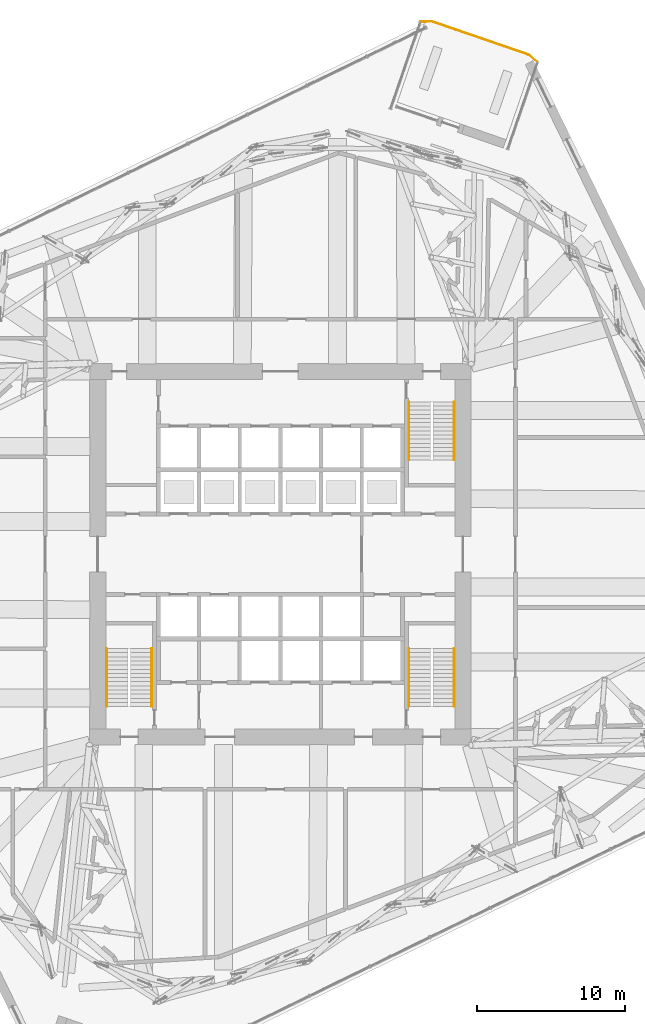
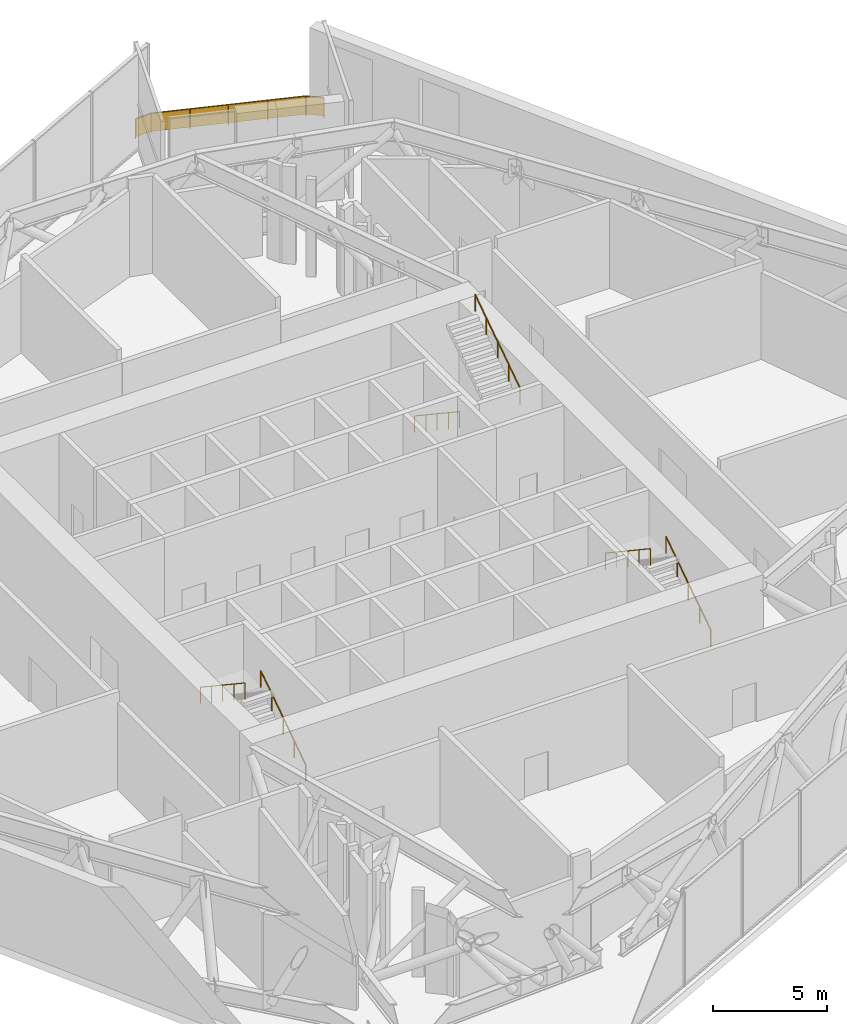
# One storey, part 19 of 21: 7 railings.
"""IFC4 building model written with IfcOpenShell, lengths in metres."""

from ifc_helpers import new_model, si_unit, direction, frame, origin, origin_2d, place, context, subcontext, project, spatial, rectangle, circle, extrude, material, type_object, element, save


model = new_model("IFC4")

# Units and contexts
model_context = context("Model", 3, precision=1e-05, world=origin(), true_north=direction((0.0, 1.0)))
body_context = subcontext(model_context, "Body", "Model", "MODEL_VIEW")
ifc_project = project(units=[si_unit("LENGTHUNIT", "METRE"), si_unit("AREAUNIT", "SQUARE_METRE"), si_unit("VOLUMEUNIT", "CUBIC_METRE"), si_unit("PLANEANGLEUNIT", "RADIAN"), si_unit("MASSUNIT", "GRAM", prefix="KILO")], contexts=[model_context])

# Site, building, storey
site_placement = place(None, origin())
site = spatial("IfcSite", under=ifc_project, at=site_placement, CompositionType="ELEMENT")
building_placement = place(site_placement, origin())
building = spatial("IfcBuilding", under=site, at=building_placement, Name="Dilmun Exchange Tower", CompositionType="ELEMENT")
storey_placement = place(building_placement, frame((0.0, 0.0, 130.10009765625)))
storey = spatial("IfcBuildingStorey", under=building, at=storey_placement, Name="L30", CompositionType="ELEMENT", Elevation=130.10009765625)

# Railings
ifc_material = material(Name="Stainless steel", Category="steel")
railing_type_1 = type_object("IfcRailingType", Name="Stair handrail 900", PredefinedType="HANDRAIL", material=ifc_material)
railing_1_placement = place(storey_placement, frame((8.699951171875, 10.300048828125, 0.1865234375)))
element("IfcRailing", 1, at=railing_1_placement, inside=storey, type_object=railing_type_1, Name="L30 ST1 stair handrail 1", PredefinedType="HANDRAIL", context=body_context, shape_type="SweptSolid", body=[
    extrude(circle(Radius=0.02392578125, at=origin_2d()), frame((0.0, 0.0, 0.8759765625), z_axis=(0.0, -0.832066238466, 0.554676279289), x_axis=(1.0, 0.0, 0.0)), (0.0, 0.0, 1.0), 4.71142578125),
    extrude(circle(Radius=0.02099609375, at=origin_2d()), origin(), (0.0, 0.0, 1.0), 0.851806640625),
    extrude(circle(Radius=0.02099609375, at=origin_2d()), frame((0.0, -0.97998046875, 0.6533203125)), (0.0, 0.0, 1.0), 0.851806640625),
    extrude(circle(Radius=0.02099609375, at=origin_2d()), frame((0.0, -1.9599609375, 1.306640625)), (0.0, 0.0, 1.0), 0.851806640625),
    extrude(circle(Radius=0.02099609375, at=origin_2d()), frame((0.0, -2.940185546875, 1.9599609375)), (0.0, 0.0, 1.0), 0.851806640625),
    extrude(circle(Radius=0.02099609375, at=origin_2d()), frame((0.0, -3.920166015625, 2.61328125)), (0.0, 0.0, 1.0), 0.851806640625),
])
for number, where, name in (
    (2, (11.75, 6.3798828125, 2.986572265625), "L30 ST1 stair handrail 2"),
    (3, (-8.699951171875, -10.300048828125, 0.1865234375), "L30 ST2 stair handrail 1"),
):
    element("IfcRailing", number, at=place(storey_placement, frame(where)), inside=storey, type_object=railing_type_1, Name=name, PredefinedType="HANDRAIL", context=body_context, shape_type="SweptSolid", body=[
        extrude(circle(Radius=0.02392578125, at=origin_2d()), frame((0.0, 0.0, 0.8759765625), z_axis=(0.0, 0.832066238466, 0.554676279289), x_axis=(-1.0, 0.0, 0.0)), (0.0, 0.0, 1.0), 4.71142578125),
        extrude(circle(Radius=0.02099609375, at=origin_2d()), origin(), (0.0, 0.0, 1.0), 0.851806640625),
        extrude(circle(Radius=0.02099609375, at=origin_2d()), frame((0.0, 0.97998046875, 0.6533203125)), (0.0, 0.0, 1.0), 0.851806640625),
        extrude(circle(Radius=0.02099609375, at=origin_2d()), frame((0.0, 1.9599609375, 1.306640625)), (0.0, 0.0, 1.0), 0.851806640625),
        extrude(circle(Radius=0.02099609375, at=origin_2d()), frame((0.0, 2.940185546875, 1.9599609375)), (0.0, 0.0, 1.0), 0.851806640625),
        extrude(circle(Radius=0.02099609375, at=origin_2d()), frame((0.0, 3.920166015625, 2.61328125)), (0.0, 0.0, 1.0), 0.851806640625),
    ])
railing_2_placement = place(storey_placement, frame((-11.75, -6.3798828125, 2.986572265625)))
element("IfcRailing", 4, at=railing_2_placement, inside=storey, type_object=railing_type_1, Name="L30 ST2 stair handrail 2", PredefinedType="HANDRAIL", context=body_context, shape_type="SweptSolid", body=[
    extrude(circle(Radius=0.02392578125, at=origin_2d()), frame((0.0, 0.0, 0.8759765625), z_axis=(0.0, -0.832066238466, 0.554676279289), x_axis=(1.0, 0.0, 0.0)), (0.0, 0.0, 1.0), 4.71142578125),
    extrude(circle(Radius=0.02099609375, at=origin_2d()), origin(), (0.0, 0.0, 1.0), 0.851806640625),
    extrude(circle(Radius=0.02099609375, at=origin_2d()), frame((0.0, -0.97998046875, 0.6533203125)), (0.0, 0.0, 1.0), 0.851806640625),
    extrude(circle(Radius=0.02099609375, at=origin_2d()), frame((0.0, -1.9599609375, 1.306640625)), (0.0, 0.0, 1.0), 0.851806640625),
    extrude(circle(Radius=0.02099609375, at=origin_2d()), frame((0.0, -2.940185546875, 1.9599609375)), (0.0, 0.0, 1.0), 0.851806640625),
    extrude(circle(Radius=0.02099609375, at=origin_2d()), frame((0.0, -3.920166015625, 2.61328125)), (0.0, 0.0, 1.0), 0.851806640625),
])
railing_3_placement = place(storey_placement, frame((11.75, -10.300048828125, 0.1865234375)))
element("IfcRailing", 5, at=railing_3_placement, inside=storey, type_object=railing_type_1, Name="L30 ST3 stair handrail 1", PredefinedType="HANDRAIL", context=body_context, shape_type="SweptSolid", body=[
    extrude(circle(Radius=0.02392578125, at=origin_2d()), frame((0.0, 0.0, 0.8759765625), z_axis=(0.0, 0.832066238466, 0.554676279289), x_axis=(-1.0, 0.0, 0.0)), (0.0, 0.0, 1.0), 4.71142578125),
    extrude(circle(Radius=0.02099609375, at=origin_2d()), origin(), (0.0, 0.0, 1.0), 0.851806640625),
    extrude(circle(Radius=0.02099609375, at=origin_2d()), frame((0.0, 0.97998046875, 0.6533203125)), (0.0, 0.0, 1.0), 0.851806640625),
    extrude(circle(Radius=0.02099609375, at=origin_2d()), frame((0.0, 1.9599609375, 1.306640625)), (0.0, 0.0, 1.0), 0.851806640625),
    extrude(circle(Radius=0.02099609375, at=origin_2d()), frame((0.0, 2.940185546875, 1.9599609375)), (0.0, 0.0, 1.0), 0.851806640625),
    extrude(circle(Radius=0.02099609375, at=origin_2d()), frame((0.0, 3.920166015625, 2.61328125)), (0.0, 0.0, 1.0), 0.851806640625),
])
railing_4_placement = place(storey_placement, frame((8.699951171875, -6.3798828125, 2.986572265625)))
element("IfcRailing", 6, at=railing_4_placement, inside=storey, type_object=railing_type_1, Name="L30 ST3 stair handrail 2", PredefinedType="HANDRAIL", context=body_context, shape_type="SweptSolid", body=[
    extrude(circle(Radius=0.02392578125, at=origin_2d()), frame((0.0, 0.0, 0.8759765625), z_axis=(0.0, -0.832066238466, 0.554676279289), x_axis=(1.0, 0.0, 0.0)), (0.0, 0.0, 1.0), 4.71142578125),
    extrude(circle(Radius=0.02099609375, at=origin_2d()), origin(), (0.0, 0.0, 1.0), 0.851806640625),
    extrude(circle(Radius=0.02099609375, at=origin_2d()), frame((0.0, -0.97998046875, 0.6533203125)), (0.0, 0.0, 1.0), 0.851806640625),
    extrude(circle(Radius=0.02099609375, at=origin_2d()), frame((0.0, -1.9599609375, 1.306640625)), (0.0, 0.0, 1.0), 0.851806640625),
    extrude(circle(Radius=0.02099609375, at=origin_2d()), frame((0.0, -2.940185546875, 1.9599609375)), (0.0, 0.0, 1.0), 0.851806640625),
    extrude(circle(Radius=0.02099609375, at=origin_2d()), frame((0.0, -3.920166015625, 2.61328125)), (0.0, 0.0, 1.0), 0.851806640625),
])
railing_type_2 = type_object("IfcRailingType", Name="Terrace guard 1100 stainless steel", PredefinedType="GUARDRAIL", material=ifc_material)
railing_5_placement = place(storey_placement, frame((9.46240234375, 36.00390625, 0.0)))
element("IfcRailing", 7, at=railing_5_placement, inside=storey, type_object=railing_type_2, Name="Terrace guard 1", PredefinedType="GUARDRAIL", context=body_context, shape_type="SweptSolid", body=[
    extrude(circle(Radius=0.02392578125, at=origin_2d()), frame((0.0, 0.0, 1.076171875), z_axis=(0.999734324623, 0.023049515631, 0.0), x_axis=(-0.023049515631, 0.999734324623, 0.0)), (0.0, 0.0, 1.0), 0.79443359375),
    extrude(rectangle(XDim=0.011962890625, YDim=0.951904296875, at=origin_2d()), frame((0.0, 0.0, 0.576171875), z_axis=(0.999734324623, 0.023049515631, 0.0), x_axis=(-0.023049515631, 0.999734324623, 0.0)), (0.0, 0.0, 1.0), 0.79443359375),
    extrude(circle(Radius=0.02392578125, at=origin_2d()), frame((0.794189453125, 0.018310546875, 1.076171875), z_axis=(0.945514513994, -0.325579949977, 0.0), x_axis=(0.325579949977, 0.945514513994, 0.0)), (0.0, 0.0, 1.0), 6.88818359375),
    extrude(rectangle(XDim=0.011962890625, YDim=0.951904296875, at=origin_2d()), frame((0.794189453125, 0.018310546875, 0.576171875), z_axis=(0.945514513994, -0.325579949977, 0.0), x_axis=(0.325579949977, 0.945514513994, 0.0)), (0.0, 0.0, 1.0), 6.88818359375),
    extrude(circle(Radius=0.02392578125, at=origin_2d()), frame((7.30712890625, -2.224365234375, 1.076171875), z_axis=(0.773710716646, -0.633539049268, 0.0), x_axis=(0.633539049268, 0.773710716646, 0.0)), (0.0, 0.0, 1.0), 0.794189453125),
    extrude(rectangle(XDim=0.011962890625, YDim=0.951904296875, at=origin_2d()), frame((7.30712890625, -2.224365234375, 0.576171875), z_axis=(0.773710716646, -0.633539049268, 0.0), x_axis=(0.633539049268, 0.773710716646, 0.0)), (0.0, 0.0, 1.0), 0.794189453125),
    extrude(circle(Radius=0.02099609375, at=origin_2d()), origin(), (0.0, 0.0, 1.0), 1.052001953125),
    extrude(circle(Radius=0.02099609375, at=origin_2d()), frame((0.794189453125, 0.018310546875, 0.0)), (0.0, 0.0, 1.0), 1.052001953125),
    extrude(circle(Radius=0.02099609375, at=origin_2d()), frame((2.42236328125, -0.54248046875, 0.0)), (0.0, 0.0, 1.0), 1.052001953125),
    extrude(circle(Radius=0.02099609375, at=origin_2d()), frame((4.05078125, -1.10302734375, 0.0)), (0.0, 0.0, 1.0), 1.052001953125),
    extrude(circle(Radius=0.02099609375, at=origin_2d()), frame((5.678955078125, -1.66357421875, 0.0)), (0.0, 0.0, 1.0), 1.052001953125),
    extrude(circle(Radius=0.02099609375, at=origin_2d()), frame((7.30712890625, -2.224365234375, 0.0)), (0.0, 0.0, 1.0), 1.052001953125),
    extrude(circle(Radius=0.02099609375, at=origin_2d()), frame((7.921630859375, -2.7275390625, 0.0)), (0.0, 0.0, 1.0), 1.052001953125),
])

save(model, "model.ifc")
